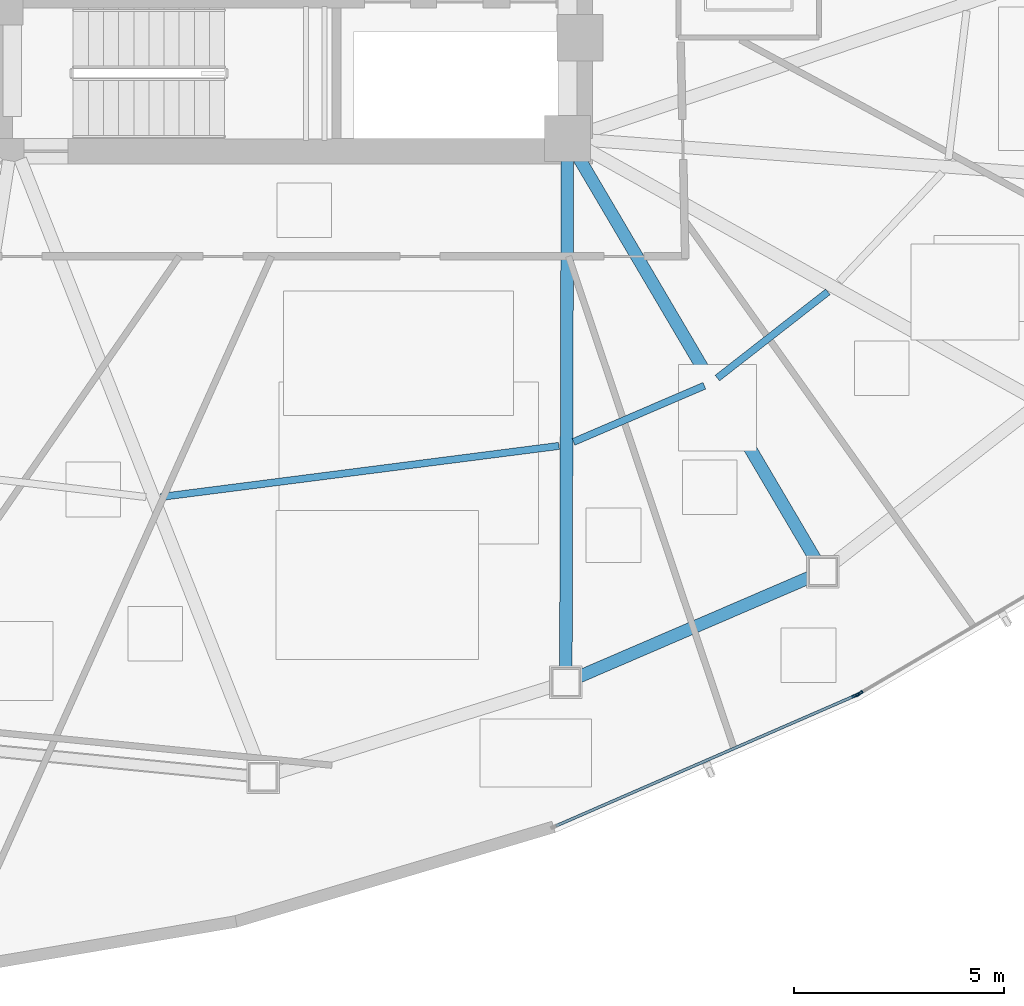
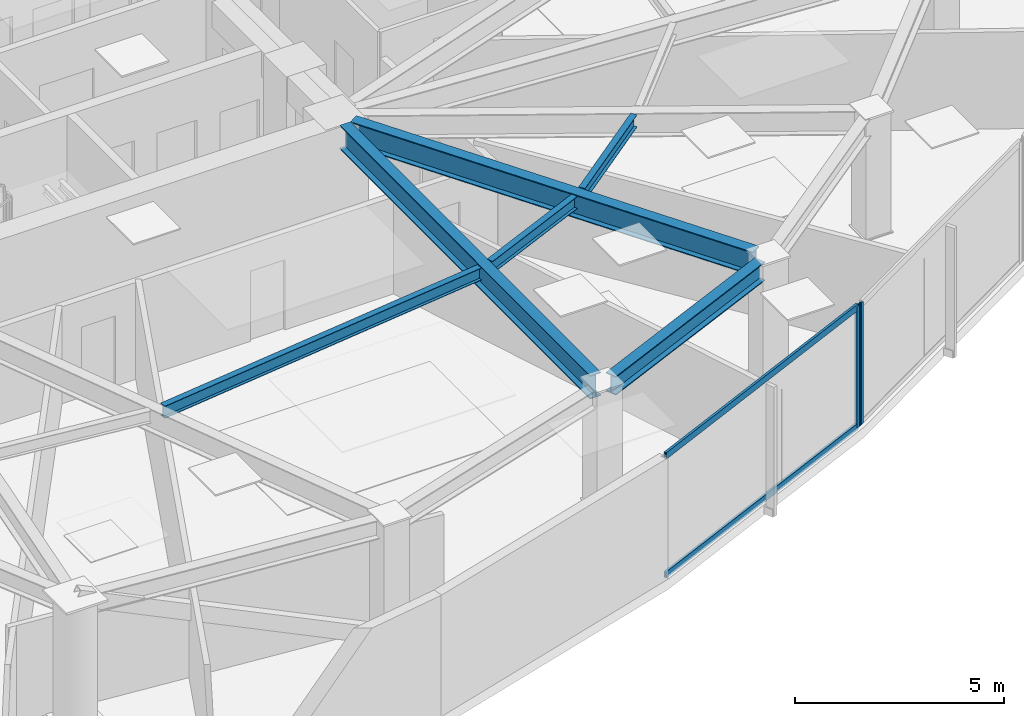
# One storey, part 3 of 18: 6 beams, 4 members, 2 elements without a shape of their own.
"""IFC4 building model written with IfcOpenShell, lengths in metres."""

from ifc_helpers import new_model, si_unit, direction, frame, origin, origin_2d, place, context, subcontext, project, spatial, hollow_rectangle, i_section, extrude, source, transform, mapped, material, layer, layer_set, material_profile, profile_set, type_object, type_shapes, element, aggregate, save


model = new_model("IFC4")

# Units and contexts
model_context = context("Model", 3, precision=1e-05, world=origin(), true_north=direction((0.0, 1.0)))
body_context = subcontext(model_context, "Body", "Model", "MODEL_VIEW")
ifc_project = project(units=[si_unit("LENGTHUNIT", "METRE"), si_unit("AREAUNIT", "SQUARE_METRE"), si_unit("VOLUMEUNIT", "CUBIC_METRE"), si_unit("PLANEANGLEUNIT", "RADIAN"), si_unit("MASSUNIT", "GRAM", prefix="KILO")], contexts=[model_context])

# Site, building, storey
site_placement = place(None, origin())
site = spatial("IfcSite", under=ifc_project, at=site_placement, CompositionType="ELEMENT")
building_placement = place(site_placement, origin())
building = spatial("IfcBuilding", under=site, at=building_placement, Name="Tavelor Broadcast Tower", CompositionType="ELEMENT")
storey_placement = place(building_placement, frame((0.0, 0.0, 146.39990234375)))
storey = spatial("IfcBuildingStorey", under=building, at=storey_placement, Name="L34", CompositionType="ELEMENT", Elevation=146.39990234375)

# Beams
ifc_material_1 = material(Name="Steel S355", Category="steel")
ifc_material_profile_1 = material_profile(ifc_material_1, i_section(OverallWidth=0.169921875, OverallDepth=0.360107421875, WebThickness=0.008056640625, FlangeThickness=0.0126953125, at=origin_2d()), Name="IPE 360")
ifc_profile_set_1 = profile_set([ifc_material_profile_1], Name="Steel S355")
beam_type_1 = type_object("IfcBeamType", Name="Composite Floor Joist T3 IPE 360", PredefinedType="JOIST", material=ifc_profile_set_1)
beam_1_placement = place(storey_placement, frame((46.93701171875, 30.280517578125, 3.3701171875), z_axis=(0.991879926303, 0.12717787464, 0.0), x_axis=(-0.12717787464, 0.991879926303, 0.0)))
element("IfcBeam", 1, at=beam_1_placement, inside=storey, type_object=beam_type_1, Name="L34 Secondary Composite Floor Joist 08", PredefinedType="JOIST", context=body_context, shape_type="SweptSolid", body=[
    extrude(i_section(OverallWidth=0.169921875, OverallDepth=0.360107421875, WebThickness=0.008056640625, FlangeThickness=0.0126953125, at=origin_2d()), origin(), (0.0, 0.0, 1.0), 9.538818359375),
])
beam_2_placement = place(storey_placement, frame((56.744384765625, 31.588134765625, 3.3701171875), z_axis=(0.918816463589, 0.394685072225, 0.0), x_axis=(-0.394685072225, 0.918816463589, 0.0)))
element("IfcBeam", 2, at=beam_2_placement, inside=storey, type_object=beam_type_1, Name="L34 Secondary Composite Floor Joist 09", PredefinedType="JOIST", context=body_context, shape_type="SweptSolid", body=[
    extrude(i_section(OverallWidth=0.169921875, OverallDepth=0.360107421875, WebThickness=0.008056640625, FlangeThickness=0.0126953125, at=origin_2d()), origin(), (0.0, 0.0, 1.0), 3.385498046875),
])
beam_3_placement = place(storey_placement, frame((60.163818359375, 33.107177734375, 3.3701171875), z_axis=(0.788471752191, 0.615070968261, 0.0), x_axis=(-0.615070968261, 0.788471752191, 0.0)))
element("IfcBeam", 3, at=beam_3_placement, inside=storey, type_object=beam_type_1, Name="L34 Secondary Composite Floor Joist 10", PredefinedType="JOIST", context=body_context, shape_type="SweptSolid", body=[
    extrude(i_section(OverallWidth=0.169921875, OverallDepth=0.360107421875, WebThickness=0.008056640625, FlangeThickness=0.0126953125, at=origin_2d()), origin(), (0.0, 0.0, 1.0), 3.33251953125),
])
ifc_material_profile_2 = material_profile(ifc_material_1, i_section(OverallWidth=0.300048828125, OverallDepth=0.550048828125, WebThickness=0.014892578125, FlangeThickness=0.029052734375, at=origin_2d()), Name="HEB 550")
ifc_profile_set_2 = profile_set([ifc_material_profile_2], Name="Steel S355")
beam_type_2 = type_object("IfcBeamType", Name="Perimeter Spandrel Beam T3 HEB 550", PredefinedType="SPANDREL", material=ifc_profile_set_2)
beam_4_placement = place(storey_placement, frame((56.86962890625, 26.005615234375, 3.275146484375), z_axis=(0.918448679011, 0.395540167396, 0.0), x_axis=(-0.395540167396, 0.918448679011, 0.0)))
element("IfcBeam", 4, at=beam_4_placement, inside=storey, type_object=beam_type_2, Name="L34 Framed-Tube Ring Spandrel 09", PredefinedType="SPANDREL", context=body_context, shape_type="SweptSolid", body=[
    extrude(i_section(OverallWidth=0.300048828125, OverallDepth=0.550048828125, WebThickness=0.014892578125, FlangeThickness=0.029052734375, at=origin_2d()), origin(), (0.0, 0.0, 1.0), 5.978515625),
])
ifc_material_profile_3 = material_profile(ifc_material_1, i_section(OverallWidth=0.300048828125, OverallDepth=0.68994140625, WebThickness=0.014404296875, FlangeThickness=0.027099609375, at=origin_2d()), Name="HEA 700")
ifc_profile_set_3 = profile_set([ifc_material_profile_3], Name="Steel S355")
beam_type_3 = type_object("IfcBeamType", Name="Radial Floor Girder T3 HEA 700", PredefinedType="BEAM", material=ifc_profile_set_3)
beam_5_placement = place(storey_placement, frame((56.598388671875, 38.27197265625, 3.205078125), z_axis=(-0.003015509149, -0.999995453342, 0.0), x_axis=(0.999995453342, -0.003015509149, 0.0)))
element("IfcBeam", 5, at=beam_5_placement, inside=storey, type_object=beam_type_3, Name="L34 Radial Primary Floor Girder 09", PredefinedType="BEAM", context=body_context, shape_type="SweptSolid", body=[
    extrude(i_section(OverallWidth=0.300048828125, OverallDepth=0.68994140625, WebThickness=0.014404296875, FlangeThickness=0.027099609375, at=origin_2d()), origin(), (0.0, 0.0, 1.0), 12.063232421875),
])
beam_6_placement = place(storey_placement, frame((56.8681640625, 38.34521484375, 3.205078125), z_axis=(0.507774310592, -0.861490133143, 0.0), x_axis=(0.861490133143, 0.507774310592, 0.0)))
element("IfcBeam", 6, at=beam_6_placement, inside=storey, type_object=beam_type_3, Name="L34 Radial Primary Floor Girder 10", PredefinedType="BEAM", context=body_context, shape_type="SweptSolid", body=[
    extrude(i_section(OverallWidth=0.300048828125, OverallDepth=0.68994140625, WebThickness=0.014404296875, FlangeThickness=0.027099609375, at=origin_2d()), origin(), (0.0, 0.0, 1.0), 11.08837890625),
])

# Curtain wall, member
ifc_material_2 = material(Name="Architectural Anodized Aluminium", Category="aluminium")
ifc_layer = layer(ifc_material_2, 0.18994140625)
ifc_layer_set = layer_set([ifc_layer], Name="Architectural Anodized Aluminium")
curtain_wall_type = type_object("IfcCurtainWallType", Name="Tower Mid-Zone Acoustic Curtain Wall CW03", PredefinedType="NOTDEFINED", material=ifc_layer_set)
curtain_wall_1_placement = place(storey_placement, origin())
curtain_wall_1 = element("IfcCurtainWall", 7, at=curtain_wall_1_placement, inside=storey, type_object=curtain_wall_type, Name="L34 Curtain Wall CW03 Run 353", PredefinedType="NOTDEFINED")
ifc_material_profile_4 = material_profile(ifc_material_2, hollow_rectangle(XDim=0.068115234375, YDim=0.18994140625, WallThickness=0.02197265625, at=origin_2d()), Name="RHS 68x190x22")
ifc_profile_set_4 = profile_set([ifc_material_profile_4], Name="Architectural Anodized Aluminium")
member_type_1 = type_object("IfcMemberType", Name="CW03 Extruded Aluminium Mullion 68x190", PredefinedType="MULLION", material=ifc_profile_set_4)
shared_shape_1 = source(origin(), body_context, "Body", "SweptSolid", [
    extrude(hollow_rectangle(XDim=0.068115234375, YDim=0.18994140625, WallThickness=0.02197265625, at=origin_2d()), origin(), (0.0, 0.0, 1.0), 3.550048828125),
])
type_shapes(member_type_1, [shared_shape_1])
member_1_placement = place(storey_placement, frame((63.450439453125, 25.56005859375, 0.0), z_axis=(0.0, 0.0, 1.0), x_axis=(-0.399140494411, 0.916889778393, 0.0)))
member_1 = element("IfcMember", 8, at=member_1_placement, type_object=member_type_1, Name="CW03 mullion 2", PredefinedType="MULLION", context=body_context, shape_type="MappedRepresentation", body=[
    mapped(shared_shape_1, transform((0.0, 0.0, 0.0), scale=1.0)),
])

curtain_wall_2_placement = place(storey_placement, origin())
curtain_wall_2 = element("IfcCurtainWall", 9, at=curtain_wall_2_placement, inside=storey, type_object=curtain_wall_type, Name="L34 Curtain Wall CW03 Run 354", PredefinedType="NOTDEFINED")
member_2_placement = place(storey_placement, frame((63.53759765625, 25.6044921875, 0.0), z_axis=(0.0, 0.0, 1.0), x_axis=(-0.507166437058, 0.861848133445, 0.0)))
member_2 = element("IfcMember", 10, at=member_2_placement, type_object=member_type_1, Name="CW03 mullion 1", PredefinedType="MULLION", context=body_context, shape_type="MappedRepresentation", body=[
    mapped(shared_shape_1, transform((0.0, 0.0, 0.0), scale=1.0)),
])
aggregate(curtain_wall_2, [member_2])

# Member
ifc_material_profile_5 = material_profile(ifc_material_2, hollow_rectangle(XDim=0.068115234375, YDim=0.18994140625, WallThickness=0.02197265625, at=origin_2d()), Name="RHS 68x190x22")
ifc_profile_set_5 = profile_set([ifc_material_profile_5], Name="Architectural Anodized Aluminium")
member_type_2 = type_object("IfcMemberType", Name="CW03 Extruded Aluminium Transom 68x190", PredefinedType="USERDEFINED", material=ifc_profile_set_5)
shared_shape_2 = source(origin(), body_context, "Body", "SweptSolid", [
    extrude(hollow_rectangle(XDim=0.068115234375, YDim=0.18994140625, WallThickness=0.02197265625, at=origin_2d()), origin(), (0.0, 0.0, 1.0), 7.734375),
])
type_shapes(member_type_2, [shared_shape_2])
member_3_placement = place(storey_placement, frame((56.32763671875, 22.459228515625, 0.0341796875), z_axis=(0.916886788512, 0.399147362576, 0.0), x_axis=(-0.399147362576, 0.916886788512, 0.0)))
member_3 = element("IfcMember", 11, at=member_3_placement, type_object=member_type_2, Name="CW03 transom 1.1", ObjectType="TRANSOM", PredefinedType="USERDEFINED", context=body_context, shape_type="MappedRepresentation", body=[
    mapped(shared_shape_2, transform((0.0, 0.0, 0.0), scale=1.0)),
])

member_4_placement = place(storey_placement, frame((56.32763671875, 22.459228515625, 3.51611328125), z_axis=(0.916886788512, 0.399147362576, 0.0), x_axis=(-0.399147362576, 0.916886788512, 0.0)))
member_4 = element("IfcMember", 12, at=member_4_placement, type_object=member_type_2, Name="CW03 transom 1.2", ObjectType="TRANSOM", PredefinedType="USERDEFINED", context=body_context, shape_type="MappedRepresentation", body=[
    mapped(shared_shape_2, transform((0.0, 0.0, 0.0), scale=1.0)),
])

aggregate(curtain_wall_1, [member_1, member_3, member_4])

save(model, "model.ifc")
